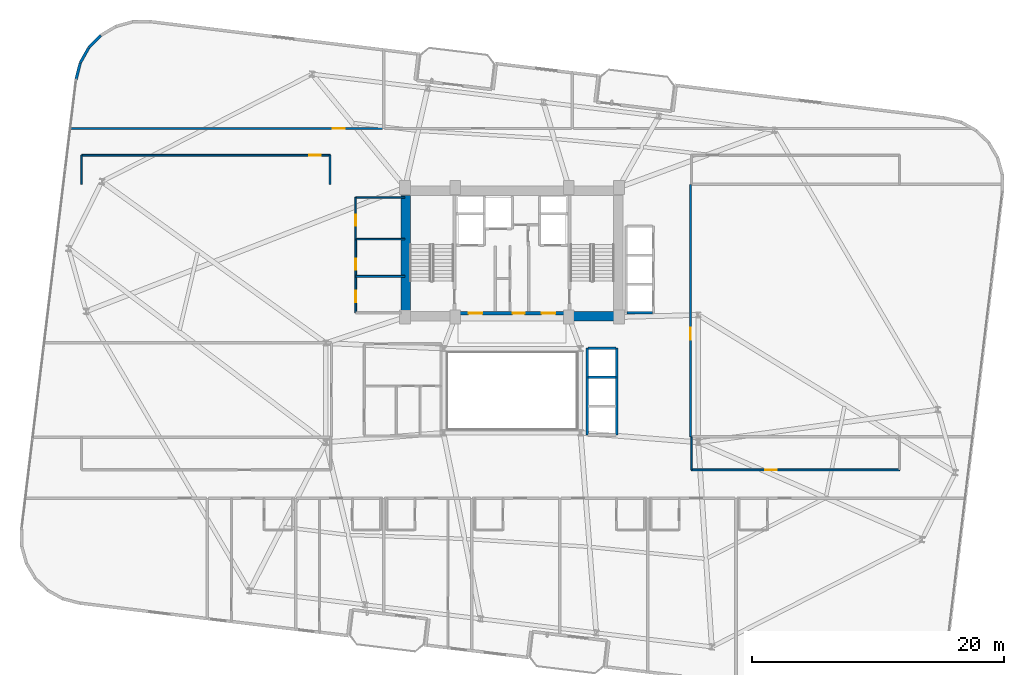
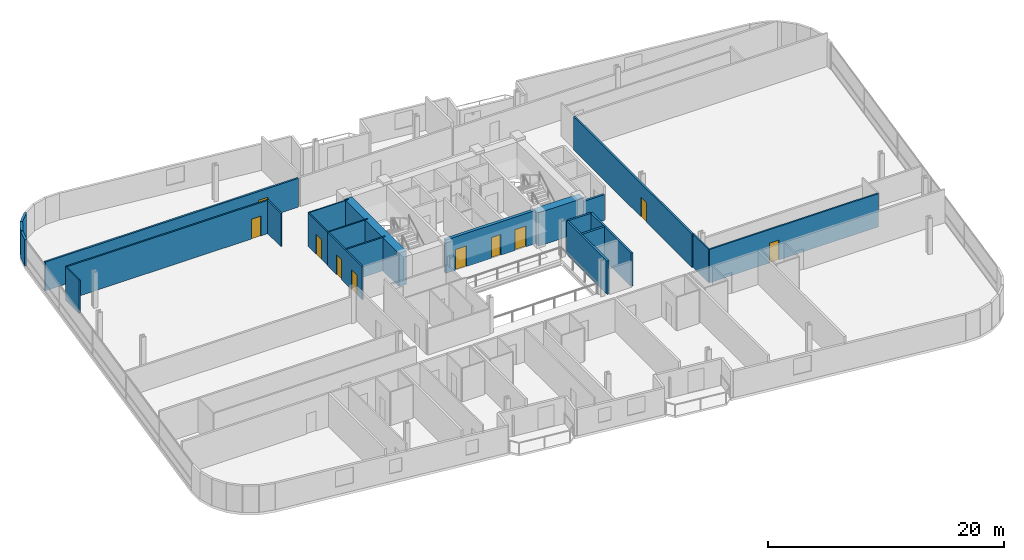
# One storey, part 22 of 26: 23 walls, 10 doors, 10 openings.
"""IFC4 building model written with IfcOpenShell, lengths in metres."""

from ifc_helpers import new_model, si_unit, direction, frame, frame_2d, origin, place, context, subcontext, project, spatial, rectangle, extrude, material, layer, layer_set, type_object, element, fill, save


model = new_model("IFC4")

# Units and contexts
model_context = context("Model", 3, precision=1e-05, world=origin(), true_north=direction((0.0, 1.0)))
body_context = subcontext(model_context, "Body", "Model", "MODEL_VIEW")
ifc_project = project(units=[si_unit("LENGTHUNIT", "METRE"), si_unit("AREAUNIT", "SQUARE_METRE"), si_unit("VOLUMEUNIT", "CUBIC_METRE"), si_unit("PLANEANGLEUNIT", "RADIAN"), si_unit("MASSUNIT", "GRAM", prefix="KILO")], contexts=[model_context])

# Site, building, storey
site_placement = place(None, origin())
site = spatial("IfcSite", under=ifc_project, at=site_placement, CompositionType="ELEMENT")
building_placement = place(site_placement, origin())
building = spatial("IfcBuilding", under=site, at=building_placement, Name="Varnelok Gate Tower", CompositionType="ELEMENT")
storey_placement = place(building_placement, frame((0.0, 0.0, 155.0)))
storey = spatial("IfcBuildingStorey", under=building, at=storey_placement, Name="L39", CompositionType="ELEMENT", Elevation=155.0)

# Walls
ifc_material_1 = material(Name="Concrete C45/55", Category="concrete")
ifc_layer_1 = layer(ifc_material_1, 0.219970703125)
ifc_layer_set_1 = layer_set([ifc_layer_1], Name="Concrete C45/55")
wall_type_1 = type_object("IfcWallType", Name="EW-BALC-220", PredefinedType="SOLIDWALL", material=ifc_layer_set_1)
wall_1_placement = place(storey_placement, frame((6.5234375, 51.13330078125, 0.0), z_axis=(0.0, 0.0, 1.0), x_axis=(-0.699762925925, -0.714375144795, 0.0)))
element("IfcWall", 1, at=wall_1_placement, inside=storey, type_object=wall_type_1, Name="L39 Perimeter Facade Closure Wall 36", PredefinedType="SOLIDWALL", context=body_context, shape_type="SweptSolid", body=[
    extrude(rectangle(XDim=1.353271484375, YDim=0.219970703125, at=frame_2d((0.6767578125, 0.0))), origin(), (0.0, 0.0, 1.0), 2.72998046875),
])
wall_2_placement = place(storey_placement, frame((5.564208984375, 50.144775390625, 0.0), z_axis=(0.0, 0.0, 1.0), x_axis=(-0.491117621399, -0.871093268227, 0.0)))
element("IfcWall", 2, at=wall_2_placement, inside=storey, type_object=wall_type_1, Name="L39 Perimeter Facade Closure Wall 37", PredefinedType="SOLIDWALL", context=body_context, shape_type="SweptSolid", body=[
    extrude(rectangle(XDim=1.35302734375, YDim=0.219970703125, at=frame_2d((0.676513671875, 0.0))), origin(), (0.0, 0.0, 1.0), 2.72998046875),
])
wall_3_placement = place(storey_placement, frame((4.8935546875, 48.94189453125, 0.0), z_axis=(0.0, 0.0, 1.0), x_axis=(-0.248857256909, -0.968540172468, 0.0)))
element("IfcWall", 3, at=wall_3_placement, inside=storey, type_object=wall_type_1, Name="L39 Perimeter Facade Closure Wall 38", PredefinedType="SOLIDWALL", context=body_context, shape_type="SweptSolid", body=[
    extrude(rectangle(XDim=1.352783203125, YDim=0.219970703125, at=frame_2d((0.67626953125, 0.0))), origin(), (0.0, 0.0, 1.0), 2.72998046875),
])

# Wall, opening, door
ifc_material_2 = material(Name="Gypsum Plasterboard Acoustic Partition", Category="gypsum")
ifc_layer_2 = layer(ifc_material_2, 0.179931640625)
ifc_layer_set_2 = layer_set([ifc_layer_2], Name="Gypsum Plasterboard Acoustic Partition")
wall_type_2 = type_object("IfcWallType", Name="PW-CORR-180", PredefinedType="PARTITIONING", material=ifc_layer_set_2)
wall_4_placement = place(storey_placement, frame((4.142822265625, 43.72998046875, 0.0), z_axis=(0.0, 0.0, 1.0), x_axis=(1.0, 0.0, 0.0)))
wall_4 = element("IfcWall", 4, at=wall_4_placement, inside=storey, type_object=wall_type_2, Name="Interior Partition", PredefinedType="PARTITIONING", context=body_context, shape_type="SweptSolid", body=[
    extrude(rectangle(XDim=24.777099609375, YDim=0.179931640625, at=frame_2d((12.388671875, 0.0))), origin(), (0.0, 0.0, 1.0), 2.971923828125),
])
opening_1_placement = place(wall_4_placement, frame((20.83203125, 0.0, 0.0)))
opening_1 = element("IfcOpeningElement", 5, at=opening_1_placement, cuts=wall_4, Name="Opening D-I2", PredefinedType="OPENING", context=body_context, shape_type="SweptSolid", body=[
    extrude(rectangle(XDim=0.949951171875, YDim=2.050048828125, at=frame_2d((0.47509765625, 1.02490234375))), frame((0.0, 0.099853515625, 0.0), z_axis=(0.0, -1.0, 0.0), x_axis=(1.0, 0.0, 0.0)), (0.0, 0.0, 1.0), 0.199951171875),
])
ifc_material_3 = material(Name="Engineered Hardwood Timber", Category="wood")
door_type_1 = type_object("IfcDoorType", Name="DR-INT-950", OperationType="NOTDEFINED", PredefinedType="DOOR", material=ifc_material_3)
door_1_placement = place(opening_1_placement, origin())
door_1 = element("IfcDoor", 6, at=door_1_placement, inside=storey, type_object=door_type_1, Name="L39 Spa Treatment Suite Door", OperationType="SINGLE_SWING_LEFT", OverallHeight=2.050048828125, OverallWidth=0.949951171875, PredefinedType="DOOR", context=body_context, shape_type="SweptSolid", body=[
    extrude(rectangle(XDim=0.949951171875, YDim=2.050048828125, at=frame_2d((0.47509765625, 1.02490234375))), frame((0.0, 0.02490234375, 0.0), z_axis=(0.0, -1.0, 0.0), x_axis=(1.0, 0.0, 0.0)), (0.0, 0.0, 1.0), 0.050048828125),
])
fill(opening_1, door_1)

wall_5_placement = place(storey_placement, frame((53.389892578125, 19.239990234375, 0.0), z_axis=(0.0, 0.0, 1.0), x_axis=(0.0, 1.0, 0.0)))
wall_5 = element("IfcWall", 7, at=wall_5_placement, inside=storey, type_object=wall_type_2, Name="Interior Partition", PredefinedType="PARTITIONING", context=body_context, shape_type="SweptSolid", body=[
    extrude(rectangle(XDim=20.06005859375, YDim=0.179931640625, at=frame_2d((10.030029296875, 0.0))), origin(), (0.0, 0.0, 1.0), 3.449951171875),
])
opening_2_placement = place(wall_5_placement, frame((7.699951171875, 0.0, 0.0)))
opening_2 = element("IfcOpeningElement", 8, at=opening_2_placement, cuts=wall_5, Name="Opening D-I2", PredefinedType="OPENING", context=body_context, shape_type="SweptSolid", body=[
    extrude(rectangle(XDim=0.949951171875, YDim=2.050048828125, at=frame_2d((0.47509765625, 1.02490234375))), frame((0.0, 0.099853515625, 0.0), z_axis=(0.0, -1.0, 0.0), x_axis=(1.0, 0.0, 0.0)), (0.0, 0.0, 1.0), 0.199951171875),
])
door_2_placement = place(opening_2_placement, origin())
door_2 = element("IfcDoor", 9, at=door_2_placement, inside=storey, type_object=door_type_1, Name="L39 East Club Door", OperationType="SINGLE_SWING_RIGHT", OverallHeight=2.050048828125, OverallWidth=0.949951171875, PredefinedType="DOOR", context=body_context, shape_type="SweptSolid", body=[
    extrude(rectangle(XDim=0.949951171875, YDim=2.050048828125, at=frame_2d((0.47509765625, 1.02490234375))), frame((0.0, 0.02490234375, 0.0), z_axis=(0.0, -1.0, 0.0), x_axis=(1.0, 0.0, 0.0)), (0.0, 0.0, 1.0), 0.050048828125),
])
fill(opening_2, door_2)

# Walls
ifc_layer_3 = layer(ifc_material_2, 0.114990234375)
ifc_layer_set_3 = layer_set([ifc_layer_3], Name="Gypsum Plasterboard Acoustic Partition")
wall_type_3 = type_object("IfcWallType", Name="PW-ENS-125", PredefinedType="PARTITIONING", material=ifc_layer_set_3)
wall_6_placement = place(storey_placement, frame((26.800048828125, 34.949951171875, 0.0), z_axis=(0.0, 0.0, 1.0), x_axis=(1.0, 0.0, 0.0)))
element("IfcWall", 10, at=wall_6_placement, inside=storey, type_object=wall_type_3, Name="Interior Partition", PredefinedType="PARTITIONING", context=body_context, shape_type="SweptSolid", body=[
    extrude(rectangle(XDim=3.8798828125, YDim=0.114990234375, at=frame_2d((1.93994140625, 0.0))), origin(), (0.0, 0.0, 1.0), 3.449951171875),
])
wall_7_placement = place(storey_placement, frame((26.780029296875, 38.260009765625, 0.0), z_axis=(0.0, 0.0, 1.0), x_axis=(1.0, 0.0, 0.0)))
element("IfcWall", 11, at=wall_7_placement, inside=storey, type_object=wall_type_3, Name="Interior Partition", PredefinedType="PARTITIONING", context=body_context, shape_type="SweptSolid", body=[
    extrude(rectangle(XDim=3.89990234375, YDim=0.114990234375, at=frame_2d((1.949951171875, 0.0))), origin(), (0.0, 0.0, 1.0), 3.449951171875),
])

# Wall, opening, door
wall_8_placement = place(storey_placement, frame((26.780029296875, 34.949951171875, 0.0), z_axis=(0.0, 0.0, 1.0), x_axis=(0.0, 1.0, 0.0)))
wall_8 = element("IfcWall", 12, at=wall_8_placement, inside=storey, type_object=wall_type_3, Name="Interior Partition", PredefinedType="PARTITIONING", context=body_context, shape_type="SweptSolid", body=[
    extrude(rectangle(XDim=3.31005859375, YDim=0.114990234375, at=frame_2d((1.655029296875, 0.0))), origin(), (0.0, 0.0, 1.0), 3.449951171875),
])
opening_3_placement = place(wall_8_placement, frame((1.050048828125, 0.0, 0.0)))
opening_3 = element("IfcOpeningElement", 13, at=opening_3_placement, cuts=wall_8, Name="Opening D-WC", PredefinedType="OPENING", context=body_context, shape_type="SweptSolid", body=[
    extrude(rectangle(XDim=0.89990234375, YDim=2.050048828125, at=frame_2d((0.449951171875, 1.02490234375))), frame((0.0, 0.0673828125, 0.0), z_axis=(0.0, -1.0, 0.0), x_axis=(1.0, 0.0, 0.0)), (0.0, 0.0, 1.0), 0.135009765625),
])
door_type_2 = type_object("IfcDoorType", Name="DR-BATH-900", OperationType="NOTDEFINED", PredefinedType="DOOR", material=ifc_material_3)
door_3_placement = place(opening_3_placement, origin())
door_3 = element("IfcDoor", 14, at=door_3_placement, inside=storey, type_object=door_type_2, Name="L39 Core Staff WC Door", OperationType="SINGLE_SWING_LEFT", OverallHeight=2.050048828125, OverallWidth=0.89990234375, PredefinedType="DOOR", context=body_context, shape_type="SweptSolid", body=[
    extrude(rectangle(XDim=0.89990234375, YDim=2.050048828125, at=frame_2d((0.449951171875, 1.02490234375))), frame((0.0, 0.02490234375, 0.0), z_axis=(0.0, -1.0, 0.0), x_axis=(1.0, 0.0, 0.0)), (0.0, 0.0, 1.0), 0.050048828125),
])
fill(opening_3, door_3)

# Walls
ifc_layer_4 = layer(ifc_material_2, 0.125)
ifc_layer_set_4 = layer_set([ifc_layer_4], Name="Gypsum Plasterboard Acoustic Partition")
wall_type_4 = type_object("IfcWallType", Name="PW-PART-125", PredefinedType="PARTITIONING", material=ifc_layer_set_4)
wall_9_placement = place(storey_placement, frame((53.449951171875, 16.610107421875, 0.0), z_axis=(0.0, 0.0, 1.0), x_axis=(0.0, 1.0, 0.0)))
element("IfcWall", 15, at=wall_9_placement, inside=storey, type_object=wall_type_4, Name="Interior Partition", PredefinedType="PARTITIONING", context=body_context, shape_type="SweptSolid", body=[
    extrude(rectangle(XDim=2.6298828125, YDim=0.125, at=frame_2d((1.31494140625, 0.0))), origin(), (0.0, 0.0, 1.0), 3.449951171875),
])
for number, where, z_axis, x_axis, name in (
    (16, (5.0, 39.300048828125, 0.0), (0.0, 0.0, 1.0), (0.0, 1.0, 0.0), "Interior Partition"),
    (17, (24.739990234375, 39.300048828125, 0.0), (0.0, 0.0, 1.0), (0.0, 1.0, 0.0), "Interior Partition"),
):
    element("IfcWall", number, at=place(storey_placement, frame(where, z_axis=z_axis, x_axis=x_axis)), inside=storey, type_object=wall_type_4, Name=name, PredefinedType="PARTITIONING", context=body_context, shape_type="SweptSolid", body=[
        extrude(rectangle(XDim=2.31005859375, YDim=0.125, at=frame_2d((1.155029296875, 0.0))), origin(), (0.0, 0.0, 1.0), 3.449951171875),
    ])

# Wall, opening, door
ifc_layer_5 = layer(ifc_material_2, 0.14990234375)
ifc_layer_set_5 = layer_set([ifc_layer_5], Name="Gypsum Plasterboard Acoustic Partition")
wall_type_5 = type_object("IfcWallType", Name="PW-PART-150", PredefinedType="PARTITIONING", material=ifc_layer_set_5)
wall_10_placement = place(storey_placement, frame((53.449951171875, 16.610107421875, 0.0), z_axis=(0.0, 0.0, 1.0), x_axis=(1.0, 0.0, 0.0)))
wall_10 = element("IfcWall", 18, at=wall_10_placement, inside=storey, type_object=wall_type_5, Name="Interior Partition", PredefinedType="PARTITIONING", context=body_context, shape_type="SweptSolid", body=[
    extrude(rectangle(XDim=16.550048828125, YDim=0.14990234375, at=frame_2d((8.27490234375, 0.0))), origin(), (0.0, 0.0, 1.0), 3.449951171875),
])
opening_4_placement = place(wall_10_placement, frame((5.87255859375, 0.0, 0.0)))
opening_4 = element("IfcOpeningElement", 19, at=opening_4_placement, cuts=wall_10, Name="Opening D-I3", PredefinedType="OPENING", context=body_context, shape_type="SweptSolid", body=[
    extrude(rectangle(XDim=0.919921875, YDim=2.050048828125, at=frame_2d((0.4599609375, 1.02490234375))), frame((0.0, 0.0849609375, 0.0), z_axis=(0.0, -1.0, 0.0), x_axis=(1.0, 0.0, 0.0)), (0.0, 0.0, 1.0), 0.169921875),
])
door_type_3 = type_object("IfcDoorType", Name="DR-INT-920", OperationType="NOTDEFINED", PredefinedType="DOOR", material=ifc_material_3)
door_4_placement = place(opening_4_placement, origin())
door_4 = element("IfcDoor", 20, at=door_4_placement, inside=storey, type_object=door_type_3, Name="L39 Atrium Room 2 Door", OperationType="SINGLE_SWING_LEFT", OverallHeight=2.050048828125, OverallWidth=0.919921875, PredefinedType="DOOR", context=body_context, shape_type="SweptSolid", body=[
    extrude(rectangle(XDim=0.919921875, YDim=2.050048828125, at=frame_2d((0.4599609375, 1.02490234375))), frame((0.0, 0.02490234375, 0.0), z_axis=(0.0, -1.0, 0.0), x_axis=(1.0, 0.0, 0.0)), (0.0, 0.0, 1.0), 0.050048828125),
])
fill(opening_4, door_4)

wall_11_placement = place(storey_placement, frame((5.0, 41.610107421875, 0.0), z_axis=(0.0, 0.0, 1.0), x_axis=(1.0, 0.0, 0.0)))
wall_11 = element("IfcWall", 21, at=wall_11_placement, inside=storey, type_object=wall_type_5, Name="Interior Partition", PredefinedType="PARTITIONING", context=body_context, shape_type="SweptSolid", body=[
    extrude(rectangle(XDim=19.739990234375, YDim=0.14990234375, at=frame_2d((9.8701171875, 0.0))), origin(), (0.0, 0.0, 1.0), 3.449951171875),
])
opening_5_placement = place(wall_11_placement, frame((18.095947265625, 0.0, 0.0)))
opening_5 = element("IfcOpeningElement", 22, at=opening_5_placement, cuts=wall_11, Name="Opening D-I3", PredefinedType="OPENING", context=body_context, shape_type="SweptSolid", body=[
    extrude(rectangle(XDim=0.919921875, YDim=2.050048828125, at=frame_2d((0.4599609375, 1.02490234375))), frame((0.0, 0.0849609375, 0.0), z_axis=(0.0, -1.0, 0.0), x_axis=(1.0, 0.0, 0.0)), (0.0, 0.0, 1.0), 0.169921875),
])
door_5_placement = place(opening_5_placement, origin())
door_5 = element("IfcDoor", 23, at=door_5_placement, inside=storey, type_object=door_type_3, Name="L39 North Study 1 Door", OperationType="SINGLE_SWING_RIGHT", OverallHeight=2.050048828125, OverallWidth=0.919921875, PredefinedType="DOOR", context=body_context, shape_type="SweptSolid", body=[
    extrude(rectangle(XDim=0.919921875, YDim=2.050048828125, at=frame_2d((0.4599609375, 1.02490234375))), frame((0.0, 0.02490234375, 0.0), z_axis=(0.0, -1.0, 0.0), x_axis=(1.0, 0.0, 0.0)), (0.0, 0.0, 1.0), 0.050048828125),
])
fill(opening_5, door_5)

# Wall
wall_12_placement = place(storey_placement, frame((26.800048828125, 31.989990234375, 0.0), z_axis=(0.0, 0.0, 1.0), x_axis=(1.0, 0.0, 0.0)))
element("IfcWall", 24, at=wall_12_placement, inside=storey, type_object=wall_type_5, Name="Interior Partition", PredefinedType="PARTITIONING", context=body_context, shape_type="SweptSolid", body=[
    extrude(rectangle(XDim=3.8798828125, YDim=0.14990234375, at=frame_2d((1.93994140625, 0.0))), origin(), (0.0, 0.0, 1.0), 3.449951171875),
])

# Wall, openings, doors
wall_13_placement = place(storey_placement, frame((26.780029296875, 29.080078125, 0.0), z_axis=(0.0, 0.0, 1.0), x_axis=(0.0, 1.0, 0.0)))
wall_13 = element("IfcWall", 25, at=wall_13_placement, inside=storey, type_object=wall_type_5, Name="Interior Partition", PredefinedType="PARTITIONING", context=body_context, shape_type="SweptSolid", body=[
    extrude(rectangle(XDim=5.869873046875, YDim=0.14990234375, at=frame_2d((2.93505859375, 0.0))), origin(), (0.0, 0.0, 1.0), 3.449951171875),
])
opening_6_placement = place(wall_13_placement, frame((0.85009765625, 0.0, 0.0)))
opening_6 = element("IfcOpeningElement", 26, at=opening_6_placement, cuts=wall_13, Name="Opening D-I3", PredefinedType="OPENING", context=body_context, shape_type="SweptSolid", body=[
    extrude(rectangle(XDim=0.919921875, YDim=2.050048828125, at=frame_2d((0.4599609375, 1.02490234375))), frame((0.0, 0.0849609375, 0.0), z_axis=(0.0, -1.0, 0.0), x_axis=(1.0, 0.0, 0.0)), (0.0, 0.0, 1.0), 0.169921875),
])
opening_7_placement = place(wall_13_placement, frame((3.449951171875, 0.0, 0.0)))
opening_7 = element("IfcOpeningElement", 27, at=opening_7_placement, cuts=wall_13, Name="Opening D-RS", PredefinedType="OPENING", context=body_context, shape_type="SweptSolid", body=[
    extrude(rectangle(XDim=0.85009765625, YDim=2.050048828125, at=frame_2d((0.425048828125, 1.02490234375))), frame((0.0, 0.0849609375, 0.0), z_axis=(0.0, -1.0, 0.0), x_axis=(1.0, 0.0, 0.0)), (0.0, 0.0, 1.0), 0.169921875),
])
door_6_placement = place(opening_6_placement, origin())
door_6 = element("IfcDoor", 28, at=door_6_placement, inside=storey, type_object=door_type_3, Name="L39 Core Linen Door", OperationType="SINGLE_SWING_LEFT", OverallHeight=2.050048828125, OverallWidth=0.919921875, PredefinedType="DOOR", context=body_context, shape_type="SweptSolid", body=[
    extrude(rectangle(XDim=0.919921875, YDim=2.050048828125, at=frame_2d((0.4599609375, 1.02490234375))), frame((0.0, 0.02490234375, 0.0), z_axis=(0.0, -1.0, 0.0), x_axis=(1.0, 0.0, 0.0)), (0.0, 0.0, 1.0), 0.050048828125),
])
fill(opening_6, door_6)
ifc_material_4 = material(Name="Galvanized Steel Grade S350GD", Category="steel")
door_type_4 = type_object("IfcDoorType", Name="DR-RISER-850", OperationType="NOTDEFINED", PredefinedType="DOOR", material=ifc_material_4)
door_7_placement = place(opening_7_placement, origin())
door_7 = element("IfcDoor", 29, at=door_7_placement, inside=storey, type_object=door_type_4, Name="L39 Core Janitor Door", OperationType="SINGLE_SWING_RIGHT", OverallHeight=2.050048828125, OverallWidth=0.85009765625, PredefinedType="DOOR", context=body_context, shape_type="SweptSolid", body=[
    extrude(rectangle(XDim=0.85009765625, YDim=2.050048828125, at=frame_2d((0.425048828125, 1.02490234375))), frame((0.0, 0.02490234375, 0.0), z_axis=(0.0, -1.0, 0.0), x_axis=(1.0, 0.0, 0.0)), (0.0, 0.0, 1.0), 0.050048828125),
])
fill(opening_7, door_7)

# Walls
ifc_material_5 = material(Name="Concrete C35/45", Category="concrete")
ifc_layer_6 = layer(ifc_material_5, 0.199951171875)
ifc_layer_set_6 = layer_set([ifc_layer_6], Name="Concrete C35/45")
wall_type_6 = type_object("IfcWallType", Name="PW-SHAFT-200", PredefinedType="PARTITIONING", material=ifc_layer_set_6)
wall_14_placement = place(storey_placement, frame((48.320068359375, 29.080078125, 0.0), z_axis=(0.0, 0.0, 1.0), x_axis=(1.0, 0.0, 0.0)))
element("IfcWall", 30, at=wall_14_placement, inside=storey, type_object=wall_type_6, Name="L39 PM Bank South Wall", PredefinedType="PARTITIONING", context=body_context, shape_type="SweptSolid", body=[
    extrude(rectangle(XDim=2.059814453125, YDim=0.199951171875, at=frame_2d((1.02978515625, 0.0))), origin(), (0.0, 0.0, 1.0), 2.662109375),
])
for number, where, z_axis, x_axis, name in (
    (31, (45.239990234375, 23.97509765625, 0.0), (0.0, 0.0, 1.0), (1.0, 0.0, 0.0), "L39 PH2 Divider"),
    (32, (45.239990234375, 26.280029296875, 0.0), (0.0, 0.0, 1.0), (1.0, 0.0, 0.0), "L39 PH Bank North Wall"),
):
    element("IfcWall", number, at=place(storey_placement, frame(where, z_axis=z_axis, x_axis=x_axis)), inside=storey, type_object=wall_type_6, Name=name, PredefinedType="PARTITIONING", context=body_context, shape_type="SweptSolid", body=[
        extrude(rectangle(XDim=2.219970703125, YDim=0.199951171875, at=frame_2d((1.10986328125, 0.0))), origin(), (0.0, 0.0, 1.0), 3.449951171875),
    ])
for number, where, z_axis, x_axis, name in (
    (33, (45.179931640625, 19.3798828125, 0.0), (0.0, 0.0, 1.0), (0.0, 1.0, 0.0), "L39 PH Bank Atrium Wall"),
    (34, (47.52001953125, 19.3798828125, 0.0), (0.0, 0.0, 1.0), (0.0, 1.0, 0.0), "L39 PH Bank Front Wall"),
):
    element("IfcWall", number, at=place(storey_placement, frame(where, z_axis=z_axis, x_axis=x_axis)), inside=storey, type_object=wall_type_6, Name=name, PredefinedType="PARTITIONING", context=body_context, shape_type="SweptSolid", body=[
        extrude(rectangle(XDim=6.900146484375, YDim=0.199951171875, at=frame_2d((3.4501953125, 0.0))), origin(), (0.0, 0.0, 1.0), 3.449951171875),
    ])
ifc_material_6 = material(Name="Concrete C70/85", Category="concrete")
ifc_layer_7 = layer(ifc_material_6, 0.75)
ifc_layer_set_7 = layer_set([ifc_layer_7], Name="Concrete C70/85")
wall_type_7 = type_object("IfcWallType", Name="SW-CORE-750", PredefinedType="SHEAR", material=ifc_layer_set_7)
wall_15_placement = place(storey_placement, frame((30.7548828125, 29.199951171875, 0.0), z_axis=(0.0, 0.0, 1.0), x_axis=(0.0, 1.0, 0.0)))
element("IfcWall", 35, at=wall_15_placement, inside=storey, type_object=wall_type_7, Name="L39 Rear Core West Shear Wall", PredefinedType="SHEAR", context=body_context, shape_type="SweptSolid", body=[
    extrude(rectangle(XDim=9.219970703125, YDim=0.75, at=frame_2d((4.60986328125, 0.0))), origin(), (0.0, 0.0, 1.0), 3.449951171875),
])
wall_16_placement = place(storey_placement, frame((43.60009765625, 28.824951171875, 0.0), z_axis=(0.0, 0.0, 1.0), x_axis=(1.0, 0.0, 0.0)))
element("IfcWall", 36, at=wall_16_placement, inside=storey, type_object=wall_type_7, Name="L39 Rear Core South-East Shear Wall", PredefinedType="SHEAR", context=body_context, shape_type="SweptSolid", body=[
    extrude(rectangle(XDim=4.419921875, YDim=0.75, at=frame_2d((2.2099609375, 0.0))), origin(), (0.0, 0.0, 1.0), 3.449951171875),
])

# Wall, openings, doors
ifc_material_7 = material(Name="Concrete C60/75", Category="concrete")
ifc_layer_8 = layer(ifc_material_7, 0.300048828125)
ifc_layer_set_8 = layer_set([ifc_layer_8], Name="Concrete C60/75")
wall_type_8 = type_object("IfcWallType", Name="SW-SHAFT-300", PredefinedType="SHEAR", material=ifc_layer_set_8)
wall_17_placement = place(storey_placement, frame((34.800048828125, 29.050048828125, 0.0), z_axis=(0.0, 0.0, 1.0), x_axis=(1.0, 0.0, 0.0)))
wall_17 = element("IfcWall", 37, at=wall_17_placement, inside=storey, type_object=wall_type_8, Name="L39 Rear Core Central Lobby Shear Wall", PredefinedType="SHEAR", context=body_context, shape_type="SweptSolid", body=[
    extrude(rectangle(XDim=8.800048828125, YDim=0.300048828125, at=frame_2d((4.39990234375, 0.0))), origin(), (0.0, 0.0, 1.0), 3.449951171875),
])
opening_8_placement = place(wall_17_placement, frame((0.949951171875, 0.0, 0.0)))
opening_8 = element("IfcOpeningElement", 38, at=opening_8_placement, cuts=wall_17, Name="Opening D-FF", PredefinedType="OPENING", context=body_context, shape_type="SweptSolid", body=[
    extrude(rectangle(XDim=1.10009765625, YDim=2.14990234375, at=frame_2d((0.550048828125, 1.074951171875))), frame((0.0, 0.159912109375, 0.0), z_axis=(0.0, -1.0, 0.0), x_axis=(1.0, 0.0, 0.0)), (0.0, 0.0, 1.0), 0.320068359375),
])
opening_9_placement = place(wall_17_placement, frame((6.75, 0.0, 0.0)))
opening_9 = element("IfcOpeningElement", 39, at=opening_9_placement, cuts=wall_17, Name="Opening D-FF", PredefinedType="OPENING", context=body_context, shape_type="SweptSolid", body=[
    extrude(rectangle(XDim=1.10009765625, YDim=2.14990234375, at=frame_2d((0.550048828125, 1.074951171875))), frame((0.0, 0.159912109375, 0.0), z_axis=(0.0, -1.0, 0.0), x_axis=(1.0, 0.0, 0.0)), (0.0, 0.0, 1.0), 0.320068359375),
])
opening_10_placement = place(wall_17_placement, frame((4.449951171875, 0.0, 0.0)))
opening_10 = element("IfcOpeningElement", 40, at=opening_10_placement, cuts=wall_17, Name="Opening D-CR", PredefinedType="OPENING", context=body_context, shape_type="SweptSolid", body=[
    extrude(rectangle(XDim=0.949951171875, YDim=2.14990234375, at=frame_2d((0.47509765625, 1.074951171875))), frame((0.0, 0.159912109375, 0.0), z_axis=(0.0, -1.0, 0.0), x_axis=(1.0, 0.0, 0.0)), (0.0, 0.0, 1.0), 0.320068359375),
])
door_type_5 = type_object("IfcDoorType", Name="DR-CORR-950", OperationType="NOTDEFINED", PredefinedType="DOOR", material=ifc_material_4)
door_8_placement = place(opening_10_placement, origin())
door_8 = element("IfcDoor", 41, at=door_8_placement, inside=storey, type_object=door_type_5, Name="L39 Core Service Passage Door", OperationType="SINGLE_SWING_LEFT", OverallHeight=2.14990234375, OverallWidth=0.949951171875, PredefinedType="DOOR", context=body_context, shape_type="SweptSolid", body=[
    extrude(rectangle(XDim=0.949951171875, YDim=2.14990234375, at=frame_2d((0.47509765625, 1.074951171875))), frame((0.0, 0.02490234375, 0.0), z_axis=(0.0, -1.0, 0.0), x_axis=(1.0, 0.0, 0.0)), (0.0, 0.0, 1.0), 0.050048828125),
])
fill(opening_10, door_8)
door_type_6 = type_object("IfcDoorType", Name="DR-FFLOB-1100", OperationType="NOTDEFINED", PredefinedType="DOOR", material=ifc_material_4)
door_9_placement = place(opening_8_placement, origin())
door_9 = element("IfcDoor", 42, at=door_9_placement, inside=storey, type_object=door_type_6, Name="L39 West Firefighting Lobby Fire Door", OperationType="SINGLE_SWING_RIGHT", OverallHeight=2.14990234375, OverallWidth=1.10009765625, PredefinedType="DOOR", context=body_context, shape_type="SweptSolid", body=[
    extrude(rectangle(XDim=1.10009765625, YDim=2.14990234375, at=frame_2d((0.550048828125, 1.074951171875))), frame((0.0, 0.02490234375, 0.0), z_axis=(0.0, -1.0, 0.0), x_axis=(1.0, 0.0, 0.0)), (0.0, 0.0, 1.0), 0.050048828125),
])
fill(opening_8, door_9)
door_10_placement = place(opening_9_placement, origin())
door_10 = element("IfcDoor", 43, at=door_10_placement, inside=storey, type_object=door_type_6, Name="L39 East Firefighting Lobby Fire Door", OperationType="SINGLE_SWING_LEFT", OverallHeight=2.14990234375, OverallWidth=1.10009765625, PredefinedType="DOOR", context=body_context, shape_type="SweptSolid", body=[
    extrude(rectangle(XDim=1.10009765625, YDim=2.14990234375, at=frame_2d((0.550048828125, 1.074951171875))), frame((0.0, 0.02490234375, 0.0), z_axis=(0.0, -1.0, 0.0), x_axis=(1.0, 0.0, 0.0)), (0.0, 0.0, 1.0), 0.050048828125),
])
fill(opening_9, door_10)

save(model, "model.ifc")
